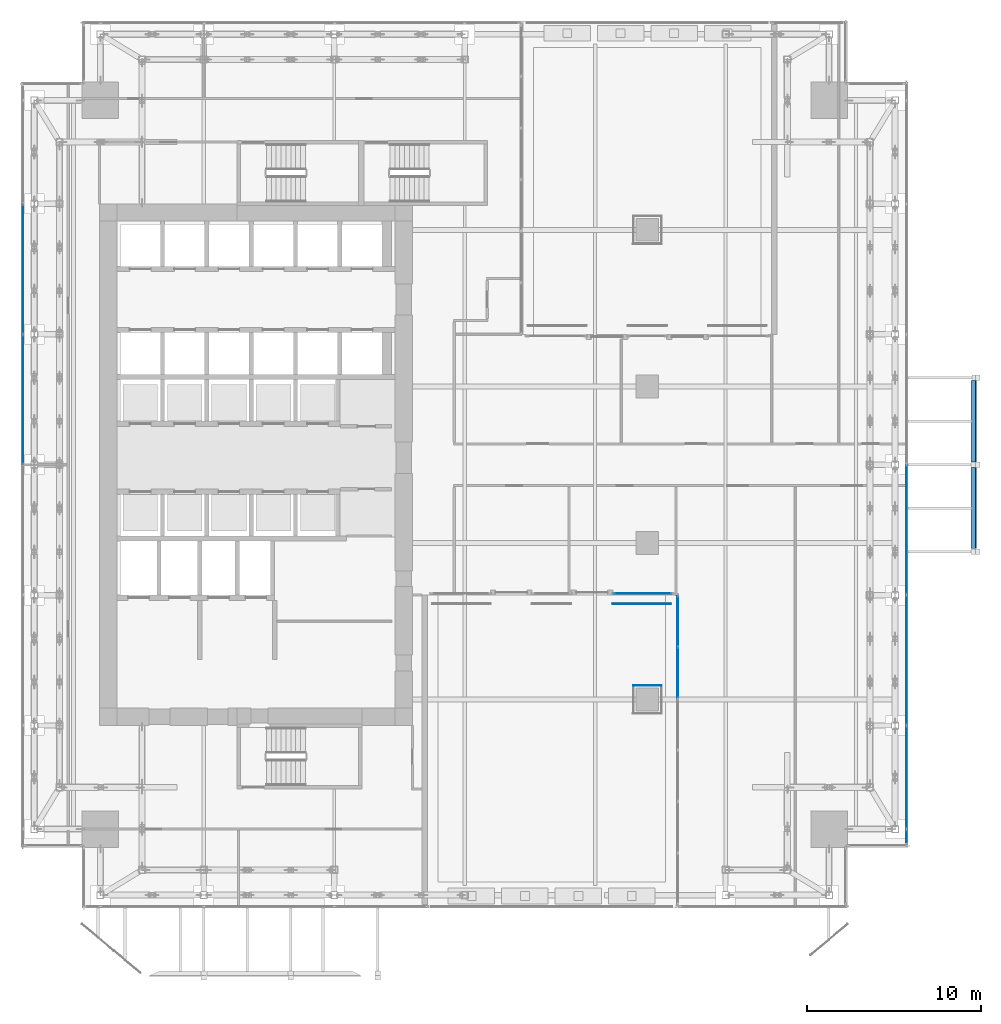
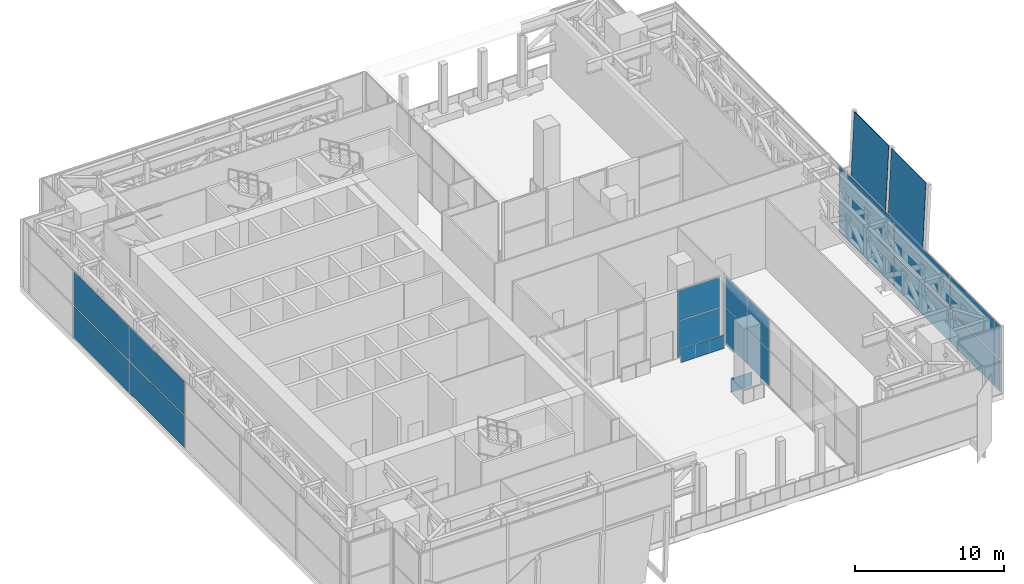
# One storey, part 33 of 47: 22 plates, 4 elements without a shape of their own.
"""IFC4 building model written with IfcOpenShell, lengths in metres."""

from ifc_helpers import new_model, si_unit, direction, frame, origin, origin_2d, place, context, subcontext, project, spatial, polyline, rectangle, outline, extrude, source, transform, mapped, material, layer, layer_set, type_object, element, aggregate, save


model = new_model("IFC4")

# Units and contexts
model_context = context("Model", 3, precision=1e-05, world=origin(), true_north=direction((0.0, 1.0)))
body_context = subcontext(model_context, "Body", "Model", "MODEL_VIEW")
ifc_project = project(units=[si_unit("LENGTHUNIT", "METRE"), si_unit("AREAUNIT", "SQUARE_METRE"), si_unit("VOLUMEUNIT", "CUBIC_METRE"), si_unit("PLANEANGLEUNIT", "RADIAN"), si_unit("MASSUNIT", "GRAM", prefix="KILO")], contexts=[model_context])

# Site, building, storey
site_placement = place(None, origin())
site = spatial("IfcSite", under=ifc_project, at=site_placement, CompositionType="ELEMENT")
building_placement = place(site_placement, origin())
building = spatial("IfcBuilding", under=site, at=building_placement, Name="Khomas Fold Tower", CompositionType="ELEMENT")
storey_placement = place(building_placement, frame((0.0, 0.0, 158.699951171875)))
storey = spatial("IfcBuildingStorey", under=building, at=storey_placement, Name="L34", CompositionType="ELEMENT", Elevation=158.699951171875)

# Plates
ifc_material_1 = material(Name="Clear laminated glass", Category="glass")
ifc_layer_1 = layer(ifc_material_1, 0.0400390625)
ifc_layer_set_1 = layer_set([ifc_layer_1], Name="Clear laminated glass")
plate_type_1 = type_object("IfcPlateType", Name="SK-Clear laminated glass leaf", PredefinedType="SHEET", material=ifc_layer_set_1)
for number, where, z_axis, x_axis, name in (
    (1, (56.115234375, 22.169921875, 0.0), (-0.998875482157, 0.0, 0.047410664903), (0.047410664903, 0.0, 0.998875482157), "OUTER SKIN glass L34 EG102-2"),
    (2, (56.115234375, 27.169921875, 0.0), (-0.998875482157, 0.0, 0.047410664903), (0.047410664903, 0.0, 0.998875482157), "OUTER SKIN glass L34 EG103-4"),
):
    element("IfcPlate", number, at=place(storey_placement, frame(where, z_axis=z_axis, x_axis=x_axis)), inside=storey, type_object=plate_type_1, Name=name, PredefinedType="SHEET", context=body_context, shape_type="SweptSolid", body=[
        extrude(outline(polyline([(0.0, 0.0), (5.556296983226296, 0.0), (5.556296983226296, 4.660156249999999), (0.0, 4.660156249999999), (0.0, 0.0)])), origin(), (0.0, 0.0, -1.0), 0.0400390625),
    ])

# Curtain wall, plates
ifc_material_2 = material(Name="Aluminium framed double glazing", Category="aluminium")
curtain_wall_type_1 = type_object("IfcCurtainWallType", Name="SK-Unitised clear-glass wall, growing floors CW1", PredefinedType="NOTDEFINED", material=ifc_material_2)
curtain_wall_1_placement = place(storey_placement, origin())
curtain_wall_1 = element("IfcCurtainWall", 3, at=curtain_wall_1_placement, inside=storey, type_object=curtain_wall_type_1, Name="CW1 run L34 08-0", PredefinedType="NOTDEFINED")
ifc_material_3 = material(Name="Insulated metal spandrel panel")
ifc_layer_2 = layer(ifc_material_3, 0.031982421875)
ifc_layer_set_2 = layer_set([ifc_layer_2], Name="Insulated metal spandrel panel")
plate_type_2 = type_object("IfcPlateType", Name="SK-Unitised clear-glass wall, growing floors spandrel panel CW1-S", PredefinedType="CURTAIN_PANEL", material=ifc_layer_set_2)
shared_shape_1 = source(origin(), body_context, "Body", "SweptSolid", [
    extrude(rectangle(XDim=0.760009765625, YDim=0.031982421875, at=origin_2d()), origin(), (0.0, 0.0, 1.0), 2.752685546875),
])
plate_1_placement = place(storey_placement, frame((52.39990234375, 5.639892578125, 2.67724609375), z_axis=(0.0, 0.0, 1.0), x_axis=(0.0, 1.0, 0.0)))
plate_1 = element("IfcPlate", 4, at=plate_1_placement, type_object=plate_type_2, Name="CW1 spandrel panel 1", PredefinedType="CURTAIN_PANEL", context=body_context, shape_type="MappedRepresentation", body=[
    mapped(shared_shape_1, transform((0.0, 0.0, 0.0))),
])
ifc_material_4 = material(Name="Clear double glazed unit")
ifc_layer_3 = layer(ifc_material_4, 0.031982421875)
ifc_layer_set_3 = layer_set([ifc_layer_3], Name="Clear double glazed unit")
plate_type_3 = type_object("IfcPlateType", Name="SK-Unitised clear-glass wall, growing floors glass panel CW1-P", PredefinedType="CURTAIN_PANEL", material=ifc_layer_set_3)
shared_shape_2 = source(origin(), body_context, "Body", "SweptSolid", [
    extrude(rectangle(XDim=0.760009765625, YDim=0.031982421875, at=origin_2d()), origin(), (0.0, 0.0, 1.0), 2.55712890625),
])
plate_2_placement = place(storey_placement, frame((52.39990234375, 5.639892578125, 0.0), z_axis=(0.0, 0.0, 1.0), x_axis=(0.0, 1.0, 0.0)))
plate_2 = element("IfcPlate", 5, at=plate_2_placement, type_object=plate_type_3, Name="CW1 glass panel 1", PredefinedType="CURTAIN_PANEL", context=body_context, shape_type="MappedRepresentation", body=[
    mapped(shared_shape_2, transform((0.0, 0.0, 0.0))),
])
shared_shape_3 = source(origin(), body_context, "Body", "SweptSolid", [
    extrude(rectangle(XDim=5.889892578125, YDim=0.031982421875, at=origin_2d()), origin(), (0.0, 0.0, 1.0), 2.752685546875),
])
plate_3_placement = place(storey_placement, frame((52.39990234375, 9.02490234375, 2.67724609375), z_axis=(0.0, 0.0, 1.0), x_axis=(0.0, 1.0, 0.0)))
plate_3 = element("IfcPlate", 6, at=plate_3_placement, type_object=plate_type_2, Name="CW1 spandrel panel 2", PredefinedType="CURTAIN_PANEL", context=body_context, shape_type="MappedRepresentation", body=[
    mapped(shared_shape_3, transform((0.0, 0.0, 0.0))),
])
shared_shape_4 = source(origin(), body_context, "Body", "SweptSolid", [
    extrude(rectangle(XDim=5.889892578125, YDim=0.031982421875, at=origin_2d()), origin(), (0.0, 0.0, 1.0), 2.55712890625),
])
plate_4_placement = place(storey_placement, frame((52.39990234375, 9.02490234375, 0.0), z_axis=(0.0, 0.0, 1.0), x_axis=(0.0, 1.0, 0.0)))
plate_4 = element("IfcPlate", 7, at=plate_4_placement, type_object=plate_type_3, Name="CW1 glass panel 2", PredefinedType="CURTAIN_PANEL", context=body_context, shape_type="MappedRepresentation", body=[
    mapped(shared_shape_4, transform((0.0, 0.0, 0.0))),
])
shared_shape_5 = source(origin(), body_context, "Body", "SweptSolid", [
    extrude(rectangle(XDim=7.43994140625, YDim=0.031982421875, at=origin_2d()), origin(), (0.0, 0.0, 1.0), 2.752685546875),
])
plate_5_placement = place(storey_placement, frame((52.39990234375, 15.75, 2.67724609375), z_axis=(0.0, 0.0, 1.0), x_axis=(0.0, 1.0, 0.0)))
plate_5 = element("IfcPlate", 8, at=plate_5_placement, type_object=plate_type_2, Name="CW1 spandrel panel 3", PredefinedType="CURTAIN_PANEL", context=body_context, shape_type="MappedRepresentation", body=[
    mapped(shared_shape_5, transform((0.0, 0.0, 0.0))),
])
plate_6_placement = place(storey_placement, frame((52.39990234375, 23.25, 2.67724609375), z_axis=(0.0, 0.0, 1.0), x_axis=(0.0, 1.0, 0.0)))
plate_6 = element("IfcPlate", 9, at=plate_6_placement, type_object=plate_type_2, Name="CW1 spandrel panel 4", PredefinedType="CURTAIN_PANEL", context=body_context, shape_type="MappedRepresentation", body=[
    mapped(shared_shape_5, transform((0.0, 0.0, 0.0))),
])

curtain_wall_2_placement = place(storey_placement, origin())
curtain_wall_2 = element("IfcCurtainWall", 10, at=curtain_wall_2_placement, inside=storey, type_object=curtain_wall_type_1, Name="CW1 run L34 18-0", PredefinedType="NOTDEFINED")
plate_7_placement = place(storey_placement, frame((1.60009765625, 38.25, 2.67724609375), z_axis=(0.0, 0.0, 1.0), x_axis=(0.0, -1.0, 0.0)))
plate_7 = element("IfcPlate", 11, at=plate_7_placement, type_object=plate_type_2, Name="CW1 spandrel panel 3", PredefinedType="CURTAIN_PANEL", context=body_context, shape_type="MappedRepresentation", body=[
    mapped(shared_shape_5, transform((0.0, 0.0, 0.0))),
])
plate_8_placement = place(storey_placement, frame((1.60009765625, 30.75, 2.67724609375), z_axis=(0.0, 0.0, 1.0), x_axis=(0.0, -1.0, 0.0)))
plate_8 = element("IfcPlate", 12, at=plate_8_placement, type_object=plate_type_2, Name="CW1 spandrel panel 4", PredefinedType="CURTAIN_PANEL", context=body_context, shape_type="MappedRepresentation", body=[
    mapped(shared_shape_5, transform((0.0, 0.0, 0.0))),
])

# Plate
shared_shape_6 = source(origin(), body_context, "Body", "SweptSolid", [
    extrude(rectangle(XDim=7.43994140625, YDim=0.031982421875, at=origin_2d()), origin(), (0.0, 0.0, 1.0), 2.55712890625),
])
plate_9_placement = place(storey_placement, frame((52.39990234375, 15.75, 0.0), z_axis=(0.0, 0.0, 1.0), x_axis=(0.0, 1.0, 0.0)))
plate_9 = element("IfcPlate", 13, at=plate_9_placement, type_object=plate_type_3, Name="CW1 glass panel 3", PredefinedType="CURTAIN_PANEL", context=body_context, shape_type="MappedRepresentation", body=[
    mapped(shared_shape_6, transform((0.0, 0.0, 0.0))),
])

plate_10_placement = place(storey_placement, frame((52.39990234375, 23.25, 0.0), z_axis=(0.0, 0.0, 1.0), x_axis=(0.0, 1.0, 0.0)))
plate_10 = element("IfcPlate", 14, at=plate_10_placement, type_object=plate_type_3, Name="CW1 glass panel 4", PredefinedType="CURTAIN_PANEL", context=body_context, shape_type="MappedRepresentation", body=[
    mapped(shared_shape_6, transform((0.0, 0.0, 0.0))),
])

aggregate(curtain_wall_1, [plate_1, plate_2, plate_3, plate_4, plate_5, plate_9, plate_6, plate_10])

plate_11_placement = place(storey_placement, frame((1.60009765625, 38.25, 0.0), z_axis=(0.0, 0.0, 1.0), x_axis=(0.0, -1.0, 0.0)))
plate_11 = element("IfcPlate", 15, at=plate_11_placement, type_object=plate_type_3, Name="CW1 glass panel 3", PredefinedType="CURTAIN_PANEL", context=body_context, shape_type="MappedRepresentation", body=[
    mapped(shared_shape_6, transform((0.0, 0.0, 0.0))),
])

plate_12_placement = place(storey_placement, frame((1.60009765625, 30.75, 0.0), z_axis=(0.0, 0.0, 1.0), x_axis=(0.0, -1.0, 0.0)))
plate_12 = element("IfcPlate", 16, at=plate_12_placement, type_object=plate_type_3, Name="CW1 glass panel 4", PredefinedType="CURTAIN_PANEL", context=body_context, shape_type="MappedRepresentation", body=[
    mapped(shared_shape_6, transform((0.0, 0.0, 0.0))),
])

aggregate(curtain_wall_2, [plate_7, plate_11, plate_8, plate_12])

# Curtain wall, plates
ifc_material_5 = material(Name="Aluminium framed double glazing", Category="aluminium")
curtain_wall_type_2 = type_object("IfcCurtainWallType", Name="Notch glazing GN-CW", PredefinedType="NOTDEFINED", material=ifc_material_5)
curtain_wall_3_placement = place(storey_placement, origin())
curtain_wall_3 = element("IfcCurtainWall", 17, at=curtain_wall_3_placement, inside=storey, type_object=curtain_wall_type_2, Name="Notch glazing run", PredefinedType="NOTDEFINED")
ifc_material_6 = material(Name="Double glazed unit")
ifc_layer_4 = layer(ifc_material_6, 0.031982421875)
ifc_layer_set_4 = layer_set([ifc_layer_4], Name="Double glazed unit")
plate_type_4 = type_object("IfcPlateType", Name="Notch glazing panel GN-CW-P", PredefinedType="CURTAIN_PANEL", material=ifc_layer_set_4)
shared_shape_7 = source(origin(), body_context, "Body", "SweptSolid", [
    extrude(rectangle(XDim=3.313232421875, YDim=0.031982421875, at=origin_2d()), origin(), (0.0, 0.0, 1.0), 2.909912109375),
])
plate_13_placement = place(storey_placement, frame((37.2333984375, 19.60009765625, 0.06005859375), z_axis=(0.0, 0.0, 1.0), x_axis=(1.0, 0.0, 0.0)))
plate_13 = element("IfcPlate", 18, at=plate_13_placement, type_object=plate_type_4, Name="GN-CW panel 1.1", PredefinedType="CURTAIN_PANEL", context=body_context, shape_type="MappedRepresentation", body=[
    mapped(shared_shape_7, transform((0.0, 0.0, 0.0))),
])
shared_shape_8 = source(origin(), body_context, "Body", "SweptSolid", [
    extrude(rectangle(XDim=3.313232421875, YDim=0.031982421875, at=origin_2d()), origin(), (0.0, 0.0, 1.0), 2.4599609375),
])
plate_14_placement = place(storey_placement, frame((37.2333984375, 19.60009765625, 3.030029296875), z_axis=(0.0, 0.0, 1.0), x_axis=(1.0, 0.0, 0.0)))
plate_14 = element("IfcPlate", 19, at=plate_14_placement, type_object=plate_type_4, Name="GN-CW panel 1.2", PredefinedType="CURTAIN_PANEL", context=body_context, shape_type="MappedRepresentation", body=[
    mapped(shared_shape_8, transform((0.0, 0.0, 0.0))),
])
aggregate(curtain_wall_3, [plate_13, plate_14])

curtain_wall_4_placement = place(storey_placement, origin())
curtain_wall_4 = element("IfcCurtainWall", 20, at=curtain_wall_4_placement, inside=storey, type_object=curtain_wall_type_2, Name="Notch glazing run", PredefinedType="NOTDEFINED")
shared_shape_9 = source(origin(), body_context, "Body", "SweptSolid", [
    extrude(rectangle(XDim=2.876708984375, YDim=0.031982421875, at=origin_2d()), origin(), (0.0, 0.0, 1.0), 2.909912109375),
])
plate_15_placement = place(storey_placement, frame((39.25, 18.001708984375, 0.06005859375), z_axis=(0.0, 0.0, 1.0), x_axis=(0.0, -1.0, 0.0)))
plate_15 = element("IfcPlate", 21, at=plate_15_placement, type_object=plate_type_4, Name="GN-CW panel 1.1", PredefinedType="CURTAIN_PANEL", context=body_context, shape_type="MappedRepresentation", body=[
    mapped(shared_shape_9, transform((0.0, 0.0, 0.0))),
])
shared_shape_10 = source(origin(), body_context, "Body", "SweptSolid", [
    extrude(rectangle(XDim=2.876708984375, YDim=0.031982421875, at=origin_2d()), origin(), (0.0, 0.0, 1.0), 2.4599609375),
])
plate_16_placement = place(storey_placement, frame((39.25, 18.001708984375, 3.030029296875), z_axis=(0.0, 0.0, 1.0), x_axis=(0.0, -1.0, 0.0)))
plate_16 = element("IfcPlate", 22, at=plate_16_placement, type_object=plate_type_4, Name="GN-CW panel 1.2", PredefinedType="CURTAIN_PANEL", context=body_context, shape_type="MappedRepresentation", body=[
    mapped(shared_shape_10, transform((0.0, 0.0, 0.0))),
])
shared_shape_11 = source(origin(), body_context, "Body", "SweptSolid", [
    extrude(rectangle(XDim=2.90673828125, YDim=0.031982421875, at=origin_2d()), origin(), (0.0, 0.0, 1.0), 2.909912109375),
])
plate_17_placement = place(storey_placement, frame((39.25, 15.050048828125, 0.06005859375), z_axis=(0.0, 0.0, 1.0), x_axis=(0.0, -1.0, 0.0)))
plate_17 = element("IfcPlate", 23, at=plate_17_placement, type_object=plate_type_4, Name="GN-CW panel 2.1", PredefinedType="CURTAIN_PANEL", context=body_context, shape_type="MappedRepresentation", body=[
    mapped(shared_shape_11, transform((0.0, 0.0, 0.0))),
])
shared_shape_12 = source(origin(), body_context, "Body", "SweptSolid", [
    extrude(rectangle(XDim=2.90673828125, YDim=0.031982421875, at=origin_2d()), origin(), (0.0, 0.0, 1.0), 2.4599609375),
])
plate_18_placement = place(storey_placement, frame((39.25, 15.050048828125, 3.030029296875), z_axis=(0.0, 0.0, 1.0), x_axis=(0.0, -1.0, 0.0)))
plate_18 = element("IfcPlate", 24, at=plate_18_placement, type_object=plate_type_4, Name="GN-CW panel 2.2", PredefinedType="CURTAIN_PANEL", context=body_context, shape_type="MappedRepresentation", body=[
    mapped(shared_shape_12, transform((0.0, 0.0, 0.0))),
])
aggregate(curtain_wall_4, [plate_15, plate_16, plate_17, plate_18])

# Plates
ifc_material_7 = material(Name="Laminated toughened glass", Category="glass")
ifc_layer_5 = layer(ifc_material_7, 0.030029296875)
ifc_layer_set_5 = layer_set([ifc_layer_5], Name="Laminated toughened glass")
plate_type_5 = type_object("IfcPlateType", Name="Guard glass infill GD-GI", PredefinedType="SHEET", material=ifc_layer_set_5)
shared_shape_13 = source(origin(), body_context, "Body", "SweptSolid", [
    extrude(rectangle(XDim=1.610107421875, YDim=0.030029296875, at=origin_2d()), origin(), (0.0, 0.0, 1.0), 1.10009765625),
])
plate_19_placement = place(storey_placement, frame((37.5, 14.304931640625, 0.0), z_axis=(0.0, 0.0, 1.0), x_axis=(1.0, 0.0, 0.0)))
element("IfcPlate", 25, at=plate_19_placement, inside=storey, type_object=plate_type_5, Name="Guard glass infill", PredefinedType="SHEET", context=body_context, shape_type="MappedRepresentation", body=[
    mapped(shared_shape_13, transform((0.0, 0.0, 0.0))),
])
shared_shape_14 = source(origin(), body_context, "Body", "SweptSolid", [
    extrude(rectangle(XDim=3.333251953125, YDim=0.030029296875, at=origin_2d()), origin(), (0.0, 0.0, 1.0), 1.10009765625),
])
plate_20_placement = place(storey_placement, frame((37.183349609375, 19.0, 0.0), z_axis=(0.0, 0.0, 1.0), x_axis=(1.0, 0.0, 0.0)))
element("IfcPlate", 26, at=plate_20_placement, inside=storey, type_object=plate_type_5, Name="Guard glass infill", PredefinedType="SHEET", context=body_context, shape_type="MappedRepresentation", body=[
    mapped(shared_shape_14, transform((0.0, 0.0, 0.0))),
])

save(model, "model.ifc")
